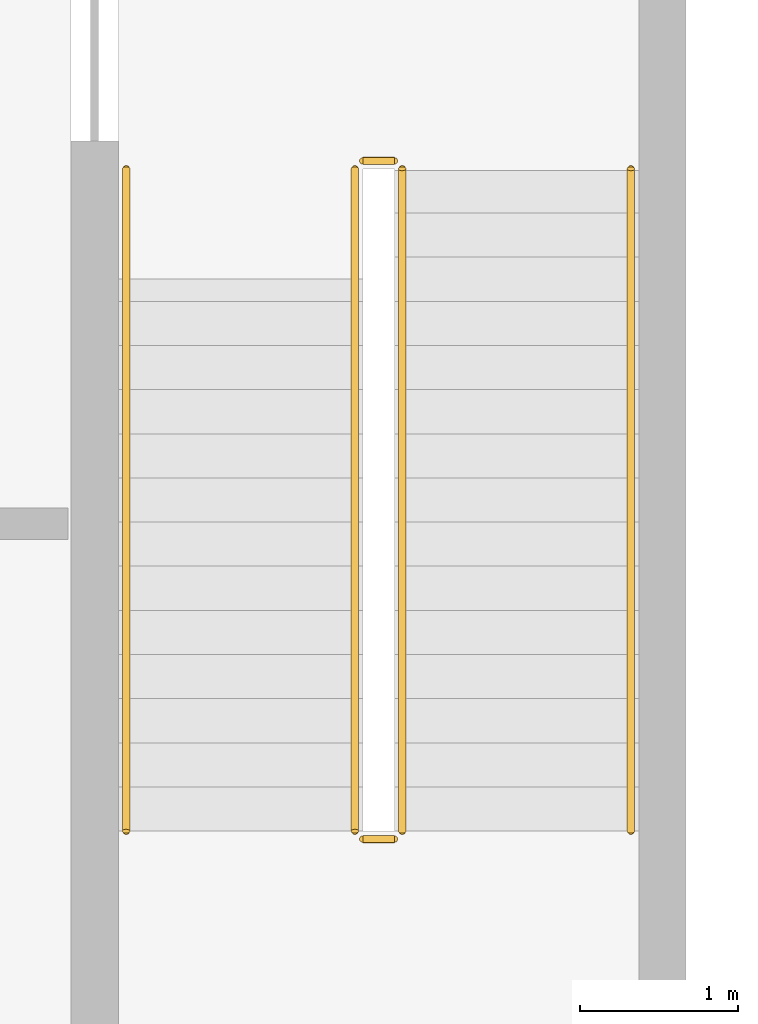
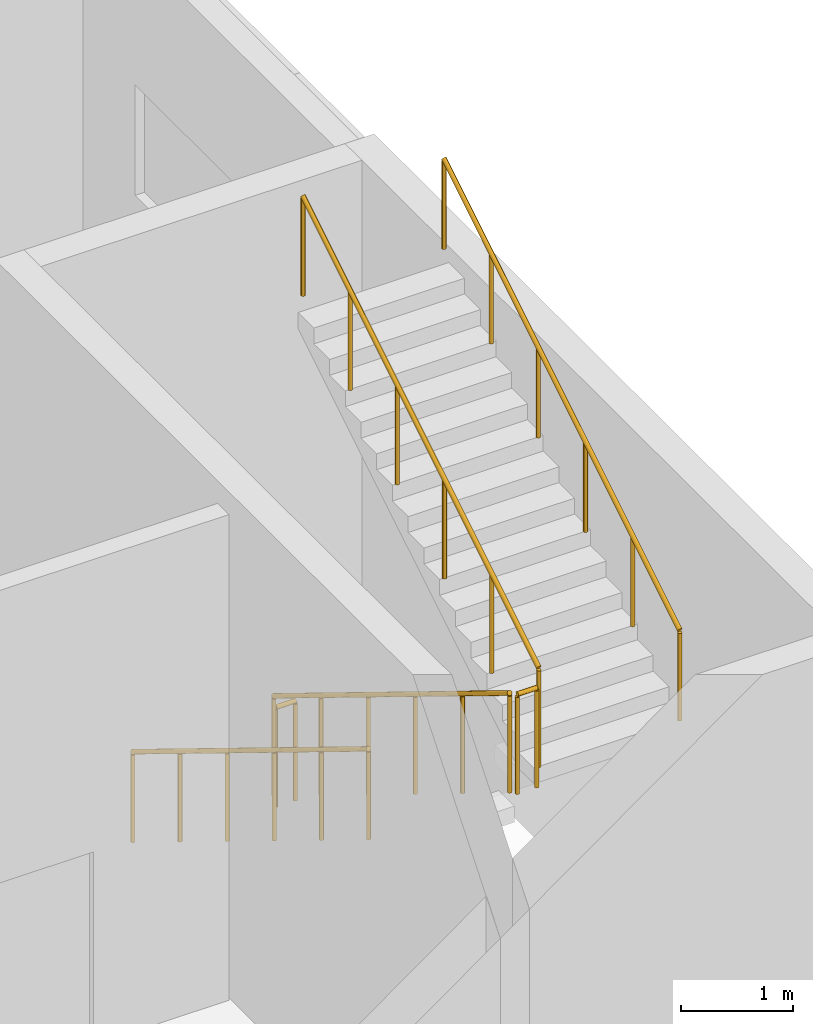
# One storey, part 90 of 94: 6 railings.
"""IFC4 building model written with IfcOpenShell, lengths in metres."""

from ifc_helpers import new_model, si_unit, direction, frame, origin, origin_2d, place, context, subcontext, project, spatial, circle, extrude, material, type_object, element, save


model = new_model("IFC4")

# Units and contexts
model_context = context("Model", 3, precision=1e-05, world=origin(), true_north=direction((0.0, 1.0)))
body_context = subcontext(model_context, "Body", "Model", "MODEL_VIEW")
ifc_project = project(units=[si_unit("LENGTHUNIT", "METRE"), si_unit("AREAUNIT", "SQUARE_METRE"), si_unit("VOLUMEUNIT", "CUBIC_METRE"), si_unit("PLANEANGLEUNIT", "RADIAN"), si_unit("MASSUNIT", "GRAM", prefix="KILO")], contexts=[model_context])

# Site, building, storey
site_placement = place(None, origin())
site = spatial("IfcSite", under=ifc_project, at=site_placement, CompositionType="ELEMENT")
building_placement = place(site_placement, origin())
building = spatial("IfcBuilding", under=site, at=building_placement, Name="Lunette Opera House", CompositionType="ELEMENT")
storey_placement = place(building_placement, frame((0.0, 0.0, 22.5)))
storey = spatial("IfcBuildingStorey", under=building, at=storey_placement, Name="L04", CompositionType="ELEMENT", Elevation=22.5)

# Railings
ifc_material_1 = material(Name="Steel S355", Category="steel")
railing_type_1 = type_object("IfcRailingType", Name="STAIR GUARD 1100", PredefinedType="GUARDRAIL", material=ifc_material_1)
railing_1_placement = place(storey_placement, frame((115.89990234375, 128.14990234375, 0.171875)))
element("IfcRailing", 1, at=railing_1_placement, inside=storey, type_object=railing_type_1, Name="L04 ST12 stair guard 1", PredefinedType="GUARDRAIL", context=body_context, shape_type="SweptSolid", body=[
    extrude(circle(Radius=0.02392578125, at=origin_2d()), frame((0.0, 0.0, 1.076171875), z_axis=(0.0, -0.852242915053, 0.523146264196), x_axis=(1.0, 0.0, 0.0)), (0.0, 0.0, 1.0), 4.92822265625),
    extrude(circle(Radius=0.02099609375, at=origin_2d()), origin(), (0.0, 0.0, 1.0), 1.052001953125),
    extrude(circle(Radius=0.02099609375, at=origin_2d()), frame((0.0, -0.840087890625, 0.515625)), (0.0, 0.0, 1.0), 1.052001953125),
    extrude(circle(Radius=0.02099609375, at=origin_2d()), frame((0.0, -1.679931640625, 1.03125)), (0.0, 0.0, 1.0), 1.052001953125),
    extrude(circle(Radius=0.02099609375, at=origin_2d()), frame((0.0, -2.52001953125, 1.546875)), (0.0, 0.0, 1.0), 1.052001953125),
    extrude(circle(Radius=0.02099609375, at=origin_2d()), frame((0.0, -3.35986328125, 2.0625)), (0.0, 0.0, 1.0), 1.052001953125),
    extrude(circle(Radius=0.02099609375, at=origin_2d()), frame((0.0, -4.199951171875, 2.578125)), (0.0, 0.0, 1.0), 1.052001953125),
])
railing_2_placement = place(storey_placement, frame((115.949951171875, 123.89990234375, 2.75)))
element("IfcRailing", 2, at=railing_2_placement, inside=storey, type_object=railing_type_1, Name="L04 ST12 stair guard 2", PredefinedType="GUARDRAIL", context=body_context, shape_type="SweptSolid", body=[
    extrude(circle(Radius=0.02392578125, at=origin_2d()), frame((0.0, 0.0, 1.076171875), z_axis=(1.0, 0.0, 0.0), x_axis=(0.0, 1.0, 0.0)), (0.0, 0.0, 1.0), 0.199951171875),
    extrude(circle(Radius=0.02099609375, at=origin_2d()), origin(), (0.0, 0.0, 1.0), 1.052001953125),
    extrude(circle(Radius=0.02099609375, at=origin_2d()), frame((0.199951171875, 0.0, 0.0)), (0.0, 0.0, 1.0), 1.052001953125),
])
railing_3_placement = place(storey_placement, frame((116.199951171875, 123.949951171875, 2.921875)))
element("IfcRailing", 3, at=railing_3_placement, inside=storey, type_object=railing_type_1, Name="L04 ST12 stair guard 3", PredefinedType="GUARDRAIL", context=body_context, shape_type="SweptSolid", body=[
    extrude(circle(Radius=0.02392578125, at=origin_2d()), frame((0.0, 0.0, 1.076171875), z_axis=(0.0, 0.852242915053, 0.523146264196), x_axis=(-1.0, 0.0, 0.0)), (0.0, 0.0, 1.0), 4.92822265625),
    extrude(circle(Radius=0.02099609375, at=origin_2d()), origin(), (0.0, 0.0, 1.0), 1.052001953125),
    extrude(circle(Radius=0.02099609375, at=origin_2d()), frame((0.0, 0.840087890625, 0.515625)), (0.0, 0.0, 1.0), 1.052001953125),
    extrude(circle(Radius=0.02099609375, at=origin_2d()), frame((0.0, 1.679931640625, 1.03125)), (0.0, 0.0, 1.0), 1.052001953125),
    extrude(circle(Radius=0.02099609375, at=origin_2d()), frame((0.0, 2.52001953125, 1.546875)), (0.0, 0.0, 1.0), 1.052001953125),
    extrude(circle(Radius=0.02099609375, at=origin_2d()), frame((0.0, 3.35986328125, 2.0625)), (0.0, 0.0, 1.0), 1.052001953125),
    extrude(circle(Radius=0.02099609375, at=origin_2d()), frame((0.0, 4.199951171875, 2.578125)), (0.0, 0.0, 1.0), 1.052001953125),
])
railing_4_placement = place(storey_placement, frame((115.949951171875, 128.199951171875, 0.0)))
element("IfcRailing", 4, at=railing_4_placement, inside=storey, type_object=railing_type_1, Name="L04 ST12 stair guard 4", PredefinedType="GUARDRAIL", context=body_context, shape_type="SweptSolid", body=[
    extrude(circle(Radius=0.02392578125, at=origin_2d()), frame((0.0, 0.0, 1.076171875), z_axis=(1.0, 0.0, 0.0), x_axis=(0.0, 1.0, 0.0)), (0.0, 0.0, 1.0), 0.199951171875),
    extrude(circle(Radius=0.02099609375, at=origin_2d()), origin(), (0.0, 0.0, 1.0), 1.052001953125),
    extrude(circle(Radius=0.02099609375, at=origin_2d()), frame((0.199951171875, 0.0, 0.0)), (0.0, 0.0, 1.0), 1.052001953125),
])
ifc_material_2 = material(Name="Steel S355", Category="steel")
railing_type_2 = type_object("IfcRailingType", Name="STAIR HANDRAIL 1000", PredefinedType="HANDRAIL", material=ifc_material_2)
railing_5_placement = place(storey_placement, frame((114.449951171875, 128.14990234375, 0.171875)))
element("IfcRailing", 5, at=railing_5_placement, inside=storey, type_object=railing_type_2, Name="L04 ST12 stair handrail 1", PredefinedType="HANDRAIL", context=body_context, shape_type="SweptSolid", body=[
    extrude(circle(Radius=0.02392578125, at=origin_2d()), frame((0.0, 0.0, 0.97607421875), z_axis=(0.0, -0.852242915053, 0.523146264196), x_axis=(1.0, 0.0, 0.0)), (0.0, 0.0, 1.0), 4.92822265625),
    extrude(circle(Radius=0.02099609375, at=origin_2d()), origin(), (0.0, 0.0, 1.0), 0.951904296875),
    extrude(circle(Radius=0.02099609375, at=origin_2d()), frame((0.0, -0.840087890625, 0.515625)), (0.0, 0.0, 1.0), 0.951904296875),
    extrude(circle(Radius=0.02099609375, at=origin_2d()), frame((0.0, -1.679931640625, 1.03125)), (0.0, 0.0, 1.0), 0.951904296875),
    extrude(circle(Radius=0.02099609375, at=origin_2d()), frame((0.0, -2.52001953125, 1.546875)), (0.0, 0.0, 1.0), 0.951904296875),
    extrude(circle(Radius=0.02099609375, at=origin_2d()), frame((0.0, -3.35986328125, 2.0625)), (0.0, 0.0, 1.0), 0.951904296875),
    extrude(circle(Radius=0.02099609375, at=origin_2d()), frame((0.0, -4.199951171875, 2.578125)), (0.0, 0.0, 1.0), 0.951904296875),
])
railing_6_placement = place(storey_placement, frame((117.64990234375, 123.949951171875, 2.921875)))
element("IfcRailing", 6, at=railing_6_placement, inside=storey, type_object=railing_type_2, Name="L04 ST12 stair handrail 2", PredefinedType="HANDRAIL", context=body_context, shape_type="SweptSolid", body=[
    extrude(circle(Radius=0.02392578125, at=origin_2d()), frame((0.0, 0.0, 0.97607421875), z_axis=(0.0, 0.852242915053, 0.523146264196), x_axis=(-1.0, 0.0, 0.0)), (0.0, 0.0, 1.0), 4.92822265625),
    extrude(circle(Radius=0.02099609375, at=origin_2d()), origin(), (0.0, 0.0, 1.0), 0.951904296875),
    extrude(circle(Radius=0.02099609375, at=origin_2d()), frame((0.0, 0.840087890625, 0.515625)), (0.0, 0.0, 1.0), 0.951904296875),
    extrude(circle(Radius=0.02099609375, at=origin_2d()), frame((0.0, 1.679931640625, 1.03125)), (0.0, 0.0, 1.0), 0.951904296875),
    extrude(circle(Radius=0.02099609375, at=origin_2d()), frame((0.0, 2.52001953125, 1.546875)), (0.0, 0.0, 1.0), 0.951904296875),
    extrude(circle(Radius=0.02099609375, at=origin_2d()), frame((0.0, 3.35986328125, 2.0625)), (0.0, 0.0, 1.0), 0.951904296875),
    extrude(circle(Radius=0.02099609375, at=origin_2d()), frame((0.0, 4.199951171875, 2.578125)), (0.0, 0.0, 1.0), 0.951904296875),
])

save(model, "model.ifc")
